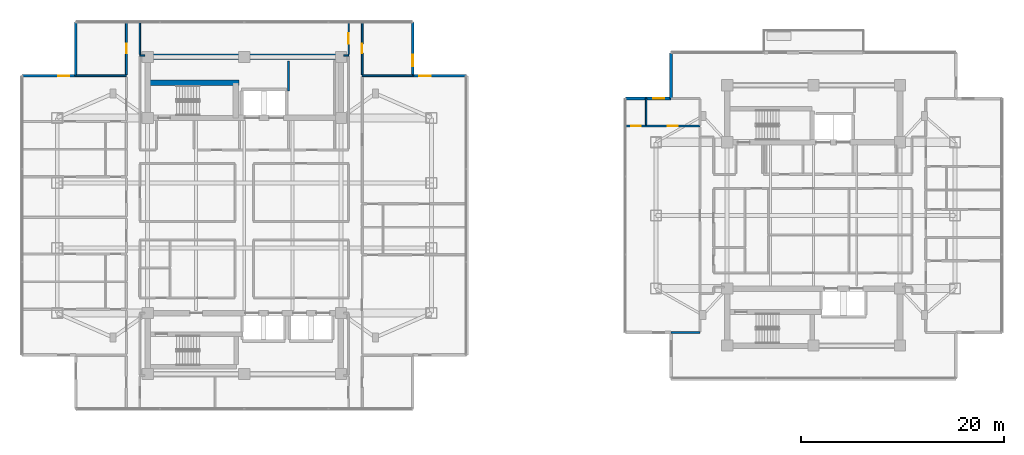
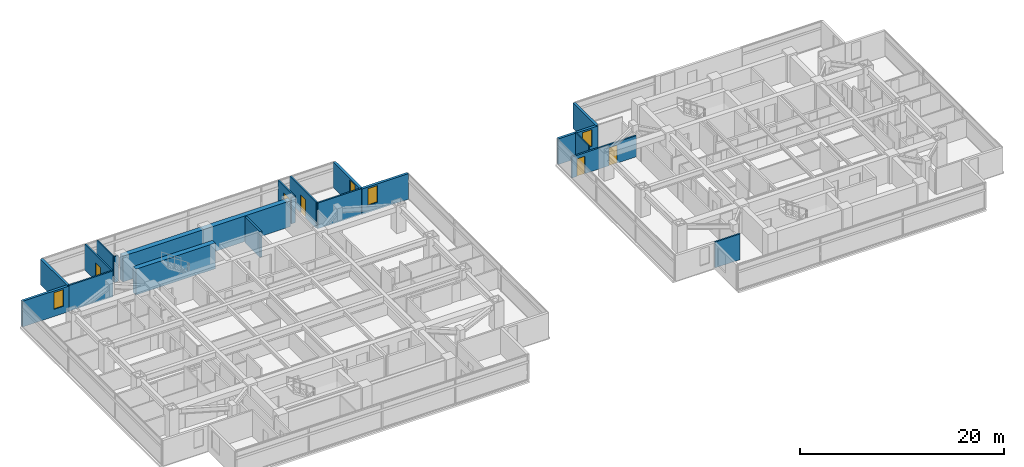
# One storey, part 16 of 24: 20 walls, 5 doors, 4 windows, 9 openings.
"""IFC4 building model written with IfcOpenShell, lengths in metres."""

from ifc_helpers import new_model, si_unit, direction, frame, frame_2d, origin, place, context, subcontext, project, spatial, rectangle, extrude, material, layer, layer_set, type_object, element, fill, save


model = new_model("IFC4")

# Units and contexts
model_context = context("Model", 3, precision=1e-05, world=origin(), true_north=direction((0.0, 1.0)))
body_context = subcontext(model_context, "Body", "Model", "MODEL_VIEW")
ifc_project = project(units=[si_unit("LENGTHUNIT", "METRE"), si_unit("AREAUNIT", "SQUARE_METRE"), si_unit("VOLUMEUNIT", "CUBIC_METRE"), si_unit("PLANEANGLEUNIT", "RADIAN"), si_unit("MASSUNIT", "GRAM", prefix="KILO")], contexts=[model_context])

# Site, building, storey
site_placement = place(None, origin())
site = spatial("IfcSite", under=ifc_project, at=site_placement, CompositionType="ELEMENT")
building_placement = place(site_placement, origin())
building = spatial("IfcBuilding", under=site, at=building_placement, Name="Mirazonda Arch Towers", CompositionType="ELEMENT")
storey_placement = place(building_placement, frame((0.0, 0.0, 141.199951171875)))
storey = spatial("IfcBuildingStorey", under=building, at=storey_placement, Name="L40", CompositionType="ELEMENT", Elevation=141.199951171875)

# Walls
ifc_material_1 = material(Name="Concrete C50/60", Category="concrete")
ifc_layer_1 = layer(ifc_material_1, 0.550048828125, Name="WALL-CORE-550")
ifc_layer_set_1 = layer_set([ifc_layer_1], Name="Concrete C50/60")
wall_type_1 = type_object("IfcWallType", Name="WALL-CORE-550", PredefinedType="SHEAR", material=ifc_layer_set_1)
wall_1_placement = place(storey_placement, frame((11.0, 43.60009765625, 0.0), z_axis=(0.0, 0.0, 1.0), x_axis=(1.0, 0.0, 0.0)))
element("IfcWall", 1, at=wall_1_placement, inside=storey, type_object=wall_type_1, Name="L40 T1N-N Core Shear Wall", PredefinedType="SHEAR", context=body_context, shape_type="SweptSolid", body=[
    extrude(rectangle(XDim=19.0, YDim=0.550048828125, at=frame_2d((9.5, 0.0))), origin(), (0.0, 0.0, 1.0), 3.080078125),
])
wall_2_placement = place(storey_placement, frame((11.0, 41.04296875, 0.0), z_axis=(0.0, 0.0, 1.0), x_axis=(1.0, 0.0, 0.0)))
element("IfcWall", 2, at=wall_2_placement, inside=storey, type_object=wall_type_1, Name="L40 T1N-STN Core Shear Wall", PredefinedType="SHEAR", context=body_context, shape_type="SweptSolid", body=[
    extrude(rectangle(XDim=9.0, YDim=0.550048828125, at=frame_2d((4.5, 0.0))), origin(), (0.0, 0.0, 1.0), 3.080078125),
])

# Wall, opening, window
ifc_material_2 = material(Name="Precast Concrete C40/50", Category="concrete")
ifc_layer_2 = layer(ifc_material_2, 0.280029296875, Name="WALL-EXT-WALL-280")
ifc_layer_set_2 = layer_set([ifc_layer_2], Name="Precast Concrete C40/50")
wall_type_2 = type_object("IfcWallType", Name="WALL-EXT-WALL-280", PredefinedType="SOLIDWALL", material=ifc_layer_set_2)
wall_3_placement = place(storey_placement, frame((37.070068359375, 41.736083984375, 0.0), z_axis=(0.0, 0.0, 1.0), x_axis=(0.0, 1.0, 0.0)))
wall_3 = element("IfcWall", 3, at=wall_3_placement, inside=storey, type_object=wall_type_2, Name="L40 T1 Notched NE Corner Wall WL-L40-T1-CNE", PredefinedType="SOLIDWALL", context=body_context, shape_type="SweptSolid", body=[
    extrude(rectangle(XDim=5.27001953125, YDim=0.280029296875, at=frame_2d((2.635009765625, 0.0))), origin(), (0.0, 0.0, 1.0), 3.06005859375),
])
opening_1_placement = place(wall_3_placement, frame((0.949951171875, 0.0, 0.85009765625)))
opening_1 = element("IfcOpeningElement", 4, at=opening_1_placement, cuts=wall_3, Name="Opening WN-108", PredefinedType="OPENING", context=body_context, shape_type="SweptSolid", body=[
    extrude(rectangle(XDim=1.10009765625, YDim=2.0, at=frame_2d((0.550048828125, 1.0))), frame((0.0, 0.14990234375, 0.0), z_axis=(0.0, -1.0, 0.0), x_axis=(1.0, 0.0, 0.0)), (0.0, 0.0, 1.0), 0.300048828125),
])
ifc_material_3 = material(Name="Insulated Low-E Solar Glass", Category="glass")
window_type = type_object("IfcWindowType", Name="WIN-NOTCH-1100x2000", PartitioningType="SINGLE_PANEL", PredefinedType="WINDOW", material=ifc_material_3)
window_1_placement = place(opening_1_placement, origin())
window_1 = element("IfcWindow", 5, at=window_1_placement, inside=storey, type_object=window_type, Name="L40 Punched Facade Window WN-L40-T1-CNE", OverallHeight=2.0, OverallWidth=1.10009765625, PartitioningType="SINGLE_PANEL", PredefinedType="WINDOW", context=body_context, shape_type="SweptSolid", body=[
    extrude(rectangle(XDim=1.10009765625, YDim=2.0, at=frame_2d((0.550048828125, 1.0))), frame((0.0, 0.030029296875, 0.0), z_axis=(0.0, -1.0, 0.0), x_axis=(1.0, 0.0, 0.0)), (0.0, 0.0, 1.0), 0.06005859375),
])
fill(opening_1, window_1)

wall_4_placement = place(storey_placement, frame((3.929931640625, 41.736083984375, 0.0), z_axis=(0.0, 0.0, 1.0), x_axis=(-1.0, 0.0, 0.0)))
wall_4 = element("IfcWall", 6, at=wall_4_placement, inside=storey, type_object=wall_type_2, Name="L40 T1 Corner Notch Return Wall WL-L40-T1-CNW1", PredefinedType="SOLIDWALL", context=body_context, shape_type="SweptSolid", body=[
    extrude(rectangle(XDim=5.27001953125, YDim=0.280029296875, at=frame_2d((2.635009765625, 0.0))), origin(), (0.0, 0.0, 1.0), 3.06005859375),
])
opening_2_placement = place(wall_4_placement, frame((0.64990234375, 0.0, 0.85009765625)))
opening_2 = element("IfcOpeningElement", 7, at=opening_2_placement, cuts=wall_4, Name="Opening WN-108", PredefinedType="OPENING", context=body_context, shape_type="SweptSolid", body=[
    extrude(rectangle(XDim=1.10009765625, YDim=2.0, at=frame_2d((0.550048828125, 1.0))), frame((0.0, 0.14990234375, 0.0), z_axis=(0.0, -1.0, 0.0), x_axis=(1.0, 0.0, 0.0)), (0.0, 0.0, 1.0), 0.300048828125),
])
window_2_placement = place(opening_2_placement, origin())
window_2 = element("IfcWindow", 8, at=window_2_placement, inside=storey, type_object=window_type, Name="L40 Punched Facade Window WN-L40-T1-CNW1", OverallHeight=2.0, OverallWidth=1.10009765625, PartitioningType="SINGLE_PANEL", PredefinedType="WINDOW", context=body_context, shape_type="SweptSolid", body=[
    extrude(rectangle(XDim=1.10009765625, YDim=2.0, at=frame_2d((0.550048828125, 1.0))), frame((0.0, 0.030029296875, 0.0), z_axis=(0.0, -1.0, 0.0), x_axis=(1.0, 0.0, 0.0)), (0.0, 0.0, 1.0), 0.06005859375),
])
fill(opening_2, window_2)

# Wall
wall_5_placement = place(storey_placement, frame((3.929931640625, 47.006103515625, 0.0), z_axis=(0.0, 0.0, 1.0), x_axis=(0.0, -1.0, 0.0)))
element("IfcWall", 9, at=wall_5_placement, inside=storey, type_object=wall_type_2, Name="L40 T1 Corner Notch Return Wall WL-L40-T1-CNW2", PredefinedType="SOLIDWALL", context=body_context, shape_type="SweptSolid", body=[
    extrude(rectangle(XDim=5.27001953125, YDim=0.280029296875, at=frame_2d((2.635009765625, 0.0))), origin(), (0.0, 0.0, 1.0), 3.06005859375),
])

# Wall, opening, window
wall_6_placement = place(storey_placement, frame((42.340087890625, 41.736083984375, 0.0), z_axis=(0.0, 0.0, 1.0), x_axis=(-1.0, 0.0, 0.0)))
wall_6 = element("IfcWall", 10, at=wall_6_placement, inside=storey, type_object=wall_type_2, Name="L40 T1 Corner Notch Return Wall WL-L40-T1-CNE2", PredefinedType="SOLIDWALL", context=body_context, shape_type="SweptSolid", body=[
    extrude(rectangle(XDim=5.27001953125, YDim=0.280029296875, at=frame_2d((2.635009765625, 0.0))), origin(), (0.0, 0.0, 1.0), 3.06005859375),
])
opening_3_placement = place(wall_6_placement, frame((3.52001953125, 0.0, 0.85009765625)))
opening_3 = element("IfcOpeningElement", 11, at=opening_3_placement, cuts=wall_6, Name="Opening WN-108", PredefinedType="OPENING", context=body_context, shape_type="SweptSolid", body=[
    extrude(rectangle(XDim=1.10009765625, YDim=2.0, at=frame_2d((0.550048828125, 1.0))), frame((0.0, 0.14990234375, 0.0), z_axis=(0.0, -1.0, 0.0), x_axis=(1.0, 0.0, 0.0)), (0.0, 0.0, 1.0), 0.300048828125),
])
window_3_placement = place(opening_3_placement, origin())
window_3 = element("IfcWindow", 12, at=window_3_placement, inside=storey, type_object=window_type, Name="L40 Punched Facade Window WN-L40-T1-CNE2", OverallHeight=2.0, OverallWidth=1.10009765625, PartitioningType="SINGLE_PANEL", PredefinedType="WINDOW", context=body_context, shape_type="SweptSolid", body=[
    extrude(rectangle(XDim=1.10009765625, YDim=2.0, at=frame_2d((0.550048828125, 1.0))), frame((0.0, 0.030029296875, 0.0), z_axis=(0.0, -1.0, 0.0), x_axis=(1.0, 0.0, 0.0)), (0.0, 0.0, 1.0), 0.06005859375),
])
fill(opening_3, window_3)

wall_7_placement = place(storey_placement, frame((62.4755859375, 39.515625, 0.0), z_axis=(0.0, 0.0, 1.0), x_axis=(-1.0, 0.0, 0.0)))
wall_7 = element("IfcWall", 13, at=wall_7_placement, inside=storey, type_object=wall_type_2, Name="L40 T2 Corner Notch Return Wall WL-L40-T2-CNW1", PredefinedType="SOLIDWALL", context=body_context, shape_type="SweptSolid", body=[
    extrude(rectangle(XDim=4.486572265625, YDim=0.280029296875, at=frame_2d((2.2431640625, 0.0))), origin(), (0.0, 0.0, 1.0), 3.06005859375),
])
opening_4_placement = place(wall_7_placement, frame((0.64990234375, 0.0, 0.85009765625)))
opening_4 = element("IfcOpeningElement", 14, at=opening_4_placement, cuts=wall_7, Name="Opening WN-108", PredefinedType="OPENING", context=body_context, shape_type="SweptSolid", body=[
    extrude(rectangle(XDim=1.10009765625, YDim=2.0, at=frame_2d((0.550048828125, 1.0))), frame((0.0, 0.14990234375, 0.0), z_axis=(0.0, -1.0, 0.0), x_axis=(1.0, 0.0, 0.0)), (0.0, 0.0, 1.0), 0.300048828125),
])
window_4_placement = place(opening_4_placement, origin())
window_4 = element("IfcWindow", 15, at=window_4_placement, inside=storey, type_object=window_type, Name="L40 Punched Facade Window WN-L40-T2-CNW1", OverallHeight=2.0, OverallWidth=1.10009765625, PartitioningType="SINGLE_PANEL", PredefinedType="WINDOW", context=body_context, shape_type="SweptSolid", body=[
    extrude(rectangle(XDim=1.10009765625, YDim=2.0, at=frame_2d((0.550048828125, 1.0))), frame((0.0, 0.030029296875, 0.0), z_axis=(0.0, -1.0, 0.0), x_axis=(1.0, 0.0, 0.0)), (0.0, 0.0, 1.0), 0.06005859375),
])
fill(opening_4, window_4)

# Walls
wall_8_placement = place(storey_placement, frame((62.4755859375, 44.002197265625, 0.0), z_axis=(0.0, 0.0, 1.0), x_axis=(0.0, -1.0, 0.0)))
element("IfcWall", 16, at=wall_8_placement, inside=storey, type_object=wall_type_2, Name="L40 T2 Corner Notch Return Wall WL-L40-T2-CNW2", PredefinedType="SOLIDWALL", context=body_context, shape_type="SweptSolid", body=[
    extrude(rectangle(XDim=4.486572265625, YDim=0.280029296875, at=frame_2d((2.2431640625, 0.0))), origin(), (0.0, 0.0, 1.0), 3.06005859375),
])
ifc_material_4 = material(Name="Concrete C40/50", Category="concrete")
ifc_layer_3 = layer(ifc_material_4, 0.219970703125, Name="WALL-FFL-220")
ifc_layer_set_3 = layer_set([ifc_layer_3], Name="Concrete C40/50")
wall_type_3 = type_object("IfcWallType", Name="WALL-FFL-220", PredefinedType="SOLIDWALL", material=ifc_layer_set_3)
wall_9_placement = place(storey_placement, frame((24.85009765625, 40.260009765625, 0.0), z_axis=(0.0, 0.0, 1.0), x_axis=(0.0, 1.0, 0.0)))
element("IfcWall", 17, at=wall_9_placement, inside=storey, type_object=wall_type_3, Name="L40 Interior Partition 102", PredefinedType="SOLIDWALL", context=body_context, shape_type="SweptSolid", body=[
    extrude(rectangle(XDim=2.93994140625, YDim=0.219970703125, at=frame_2d((1.469970703125, 0.0))), origin(), (0.0, 0.0, 1.0), 3.080078125),
])
ifc_material_5 = material(Name="Fire-Rated Gypsum Stud Partition")
ifc_layer_4 = layer(ifc_material_5, 0.14990234375, Name="WALL-PART-CORR-150")
ifc_layer_set_4 = layer_set([ifc_layer_4], Name="Fire-Rated Gypsum Stud Partition")
wall_type_4 = type_object("IfcWallType", Name="WALL-PART-CORR-150", PredefinedType="PARTITIONING", material=ifc_layer_set_4)
for number, where, z_axis, x_axis, name in (
    (18, (10.239990234375, 43.75, 0.0), (0.0, 0.0, 1.0), (1.0, 0.0, 0.0), "L40 Interior Partition 061"),
    (19, (30.27001953125, 43.75, 0.0), (0.0, 0.0, 1.0), (1.0, 0.0, 0.0), "L40 Interior Partition 062"),
):
    element("IfcWall", number, at=place(storey_placement, frame(where, z_axis=z_axis, x_axis=x_axis)), inside=storey, type_object=wall_type_4, Name=name, PredefinedType="PARTITIONING", context=body_context, shape_type="SweptSolid", body=[
        extrude(rectangle(XDim=0.489990234375, YDim=0.14990234375, at=frame_2d((0.2451171875, 0.0))), origin(), (0.0, 0.0, 1.0), 3.080078125),
    ])
wall_10_placement = place(storey_placement, frame((10.239990234375, 43.8349609375, 0.0), z_axis=(0.0, 0.0, 1.0), x_axis=(0.0, 1.0, 0.0)))
element("IfcWall", 20, at=wall_10_placement, inside=storey, type_object=wall_type_4, Name="L40 Interior Partition 083", PredefinedType="PARTITIONING", context=body_context, shape_type="SweptSolid", body=[
    extrude(rectangle(XDim=3.171142578125, YDim=0.14990234375, at=frame_2d((1.58544921875, 0.0))), origin(), (0.0, 0.0, 1.0), 3.080078125),
])

# Wall, opening, door
wall_11_placement = place(storey_placement, frame((30.760009765625, 43.8349609375, 0.0), z_axis=(0.0, 0.0, 1.0), x_axis=(0.0, 1.0, 0.0)))
wall_11 = element("IfcWall", 21, at=wall_11_placement, inside=storey, type_object=wall_type_4, Name="L40 Interior Partition 111", PredefinedType="PARTITIONING", context=body_context, shape_type="SweptSolid", body=[
    extrude(rectangle(XDim=3.171142578125, YDim=0.14990234375, at=frame_2d((1.58544921875, 0.0))), origin(), (0.0, 0.0, 1.0), 3.080078125),
])
opening_5_placement = place(wall_11_placement, frame((1.060546875, 0.0, 0.0)))
opening_5 = element("IfcOpeningElement", 22, at=opening_5_placement, cuts=wall_11, Name="Opening DR-121", PredefinedType="OPENING", context=body_context, shape_type="SweptSolid", body=[
    extrude(rectangle(XDim=1.050048828125, YDim=2.199951171875, at=frame_2d((0.52490234375, 1.10009765625))), frame((0.0, 0.0849609375, 0.0), z_axis=(0.0, -1.0, 0.0), x_axis=(1.0, 0.0, 0.0)), (0.0, 0.0, 1.0), 0.169921875),
])
ifc_material_6 = material(Name="Architectural Brushed Steel S355", Category="steel")
door_type_1 = type_object("IfcDoorType", Name="DOOR-SUITE-FD60-1050", OperationType="NOTDEFINED", PredefinedType="DOOR", material=ifc_material_6)
door_1_placement = place(opening_5_placement, origin())
door_1 = element("IfcDoor", 23, at=door_1_placement, inside=storey, type_object=door_type_1, Name="L40 North Reading Salon Suite Door", OperationType="SINGLE_SWING_RIGHT", OverallHeight=2.199951171875, OverallWidth=1.050048828125, PredefinedType="DOOR", context=body_context, shape_type="SweptSolid", body=[
    extrude(rectangle(XDim=1.050048828125, YDim=2.199951171875, at=frame_2d((0.52490234375, 1.10009765625))), frame((0.0, 0.02490234375, 0.0), z_axis=(0.0, -1.0, 0.0), x_axis=(1.0, 0.0, 0.0)), (0.0, 0.0, 1.0), 0.050048828125),
])
fill(opening_5, door_1)

# Wall
ifc_material_7 = material(Name="Fire-Rated Gypsum Twin-Stud Assembly")
ifc_layer_5 = layer(ifc_material_7, 0.179931640625, Name="WALL-PART-DEMISE-180")
ifc_layer_set_5 = layer_set([ifc_layer_5], Name="Fire-Rated Gypsum Twin-Stud Assembly")
wall_type_5 = type_object("IfcWallType", Name="WALL-PART-DEMISE-180", PredefinedType="PARTITIONING", material=ifc_layer_set_5)
wall_12_placement = place(storey_placement, frame((62.49560546875, 16.48388671875, 0.0), z_axis=(0.0, 0.0, 1.0), x_axis=(1.0, 0.0, 0.0)))
element("IfcWall", 24, at=wall_12_placement, inside=storey, type_object=wall_type_5, Name="L40 Interior Partition 009", PredefinedType="PARTITIONING", context=body_context, shape_type="SweptSolid", body=[
    extrude(rectangle(XDim=2.824462890625, YDim=0.179931640625, at=frame_2d((1.412109375, 0.0))), origin(), (0.0, 0.0, 1.0), 3.080078125),
])

# Wall, openings, doors
wall_13_placement = place(storey_placement, frame((57.989013671875, 36.7958984375, 0.0), z_axis=(0.0, 0.0, 1.0), x_axis=(1.0, 0.0, 0.0)))
wall_13 = element("IfcWall", 25, at=wall_13_placement, inside=storey, type_object=wall_type_5, Name="L40 Interior Partition 052", PredefinedType="PARTITIONING", context=body_context, shape_type="SweptSolid", body=[
    extrude(rectangle(XDim=7.3310546875, YDim=0.179931640625, at=frame_2d((3.66552734375, 0.0))), origin(), (0.0, 0.0, 1.0), 2.52294921875),
])
opening_6_placement = place(wall_13_placement, frame((4.1904296875, 0.0, 0.0)))
opening_6 = element("IfcOpeningElement", 26, at=opening_6_placement, cuts=wall_13, Name="Opening DR-104", PredefinedType="OPENING", context=body_context, shape_type="SweptSolid", body=[
    extrude(rectangle(XDim=0.949951171875, YDim=2.14990234375, at=frame_2d((0.47509765625, 1.074951171875))), frame((0.0, 0.099853515625, 0.0), z_axis=(0.0, -1.0, 0.0), x_axis=(1.0, 0.0, 0.0)), (0.0, 0.0, 1.0), 0.199951171875),
])
opening_7_placement = place(wall_13_placement, frame((0.590087890625, 0.0, 0.0)))
opening_7 = element("IfcOpeningElement", 27, at=opening_7_placement, cuts=wall_13, Name="Opening DR-120", PredefinedType="OPENING", context=body_context, shape_type="SweptSolid", body=[
    extrude(rectangle(XDim=0.89990234375, YDim=2.10009765625, at=frame_2d((0.449951171875, 1.050048828125))), frame((0.0, 0.099853515625, 0.0), z_axis=(0.0, -1.0, 0.0), x_axis=(1.0, 0.0, 0.0)), (0.0, 0.0, 1.0), 0.199951171875),
])
door_type_2 = type_object("IfcDoorType", Name="DOOR-ROOM-950", OperationType="NOTDEFINED", PredefinedType="DOOR", material=ifc_material_6)
door_2_placement = place(opening_6_placement, origin())
door_2 = element("IfcDoor", 28, at=door_2_placement, inside=storey, type_object=door_type_2, Name="L40 Suite Bedroom 1 Door", OperationType="SINGLE_SWING_RIGHT", OverallHeight=2.14990234375, OverallWidth=0.949951171875, PredefinedType="DOOR", context=body_context, shape_type="SweptSolid", body=[
    extrude(rectangle(XDim=0.949951171875, YDim=2.14990234375, at=frame_2d((0.47509765625, 1.074951171875))), frame((0.0, 0.02490234375, 0.0), z_axis=(0.0, -1.0, 0.0), x_axis=(1.0, 0.0, 0.0)), (0.0, 0.0, 1.0), 0.050048828125),
])
fill(opening_6, door_2)
door_type_3 = type_object("IfcDoorType", Name="DOOR-WC-900", OperationType="NOTDEFINED", PredefinedType="DOOR", material=ifc_material_6)
door_3_placement = place(opening_7_placement, origin())
door_3 = element("IfcDoor", 29, at=door_3_placement, inside=storey, type_object=door_type_3, Name="L40 Suite En-Suite Bathroom 1 Door", OperationType="SINGLE_SWING_LEFT", OverallHeight=2.10009765625, OverallWidth=0.89990234375, PredefinedType="DOOR", context=body_context, shape_type="SweptSolid", body=[
    extrude(rectangle(XDim=0.89990234375, YDim=2.10009765625, at=frame_2d((0.449951171875, 1.050048828125))), frame((0.0, 0.02490234375, 0.0), z_axis=(0.0, -1.0, 0.0), x_axis=(1.0, 0.0, 0.0)), (0.0, 0.0, 1.0), 0.050048828125),
])
fill(opening_7, door_3)

# Walls
for number, where, z_axis, x_axis, name in (
    (30, (3.949951171875, 41.736083984375, 0.0), (0.0, 0.0, 1.0), (1.0, 0.0, 0.0), "L40 Interior Partition 059"),
    (31, (32.10009765625, 41.736083984375, 0.0), (0.0, 0.0, 1.0), (1.0, 0.0, 0.0), "L40 Interior Partition 060"),
):
    element("IfcWall", number, at=place(storey_placement, frame(where, z_axis=z_axis, x_axis=x_axis)), inside=storey, type_object=wall_type_5, Name=name, PredefinedType="PARTITIONING", context=body_context, shape_type="SweptSolid", body=[
        extrude(rectangle(XDim=4.949951171875, YDim=0.179931640625, at=frame_2d((2.47509765625, 0.0))), origin(), (0.0, 0.0, 1.0), 3.080078125),
    ])

# Wall, opening, door
wall_14_placement = place(storey_placement, frame((8.89990234375, 41.8359375, 0.0), z_axis=(0.0, 0.0, 1.0), x_axis=(0.0, 1.0, 0.0)))
wall_14 = element("IfcWall", 32, at=wall_14_placement, inside=storey, type_object=wall_type_5, Name="L40 Interior Partition 076", PredefinedType="PARTITIONING", context=body_context, shape_type="SweptSolid", body=[
    extrude(rectangle(XDim=5.170166015625, YDim=0.179931640625, at=frame_2d((2.5849609375, 0.0))), origin(), (0.0, 0.0, 1.0), 3.080078125),
])
opening_8_placement = place(wall_14_placement, frame((2.110107421875, 0.0, 0.0)))
opening_8 = element("IfcOpeningElement", 33, at=opening_8_placement, cuts=wall_14, Name="Opening DR-104", PredefinedType="OPENING", context=body_context, shape_type="SweptSolid", body=[
    extrude(rectangle(XDim=0.949951171875, YDim=2.14990234375, at=frame_2d((0.47509765625, 1.074951171875))), frame((0.0, 0.099853515625, 0.0), z_axis=(0.0, -1.0, 0.0), x_axis=(1.0, 0.0, 0.0)), (0.0, 0.0, 1.0), 0.199951171875),
])
door_4_placement = place(opening_8_placement, origin())
door_4 = element("IfcDoor", 34, at=door_4_placement, inside=storey, type_object=door_type_2, Name="L40 North Reading Salon Alcove West Door", OperationType="SINGLE_SWING_LEFT", OverallHeight=2.14990234375, OverallWidth=0.949951171875, PredefinedType="DOOR", context=body_context, shape_type="SweptSolid", body=[
    extrude(rectangle(XDim=0.949951171875, YDim=2.14990234375, at=frame_2d((0.47509765625, 1.074951171875))), frame((0.0, 0.02490234375, 0.0), z_axis=(0.0, -1.0, 0.0), x_axis=(1.0, 0.0, 0.0)), (0.0, 0.0, 1.0), 0.050048828125),
])
fill(opening_8, door_4)

wall_15_placement = place(storey_placement, frame((32.10009765625, 41.8359375, 0.0), z_axis=(0.0, 0.0, 1.0), x_axis=(0.0, 1.0, 0.0)))
wall_15 = element("IfcWall", 35, at=wall_15_placement, inside=storey, type_object=wall_type_5, Name="L40 Interior Partition 117", PredefinedType="PARTITIONING", context=body_context, shape_type="SweptSolid", body=[
    extrude(rectangle(XDim=5.170166015625, YDim=0.179931640625, at=frame_2d((2.5849609375, 0.0))), origin(), (0.0, 0.0, 1.0), 3.080078125),
])
opening_9_placement = place(wall_15_placement, frame((2.110107421875, 0.0, 0.0)))
opening_9 = element("IfcOpeningElement", 36, at=opening_9_placement, cuts=wall_15, Name="Opening DR-104", PredefinedType="OPENING", context=body_context, shape_type="SweptSolid", body=[
    extrude(rectangle(XDim=0.949951171875, YDim=2.14990234375, at=frame_2d((0.47509765625, 1.074951171875))), frame((0.0, 0.099853515625, 0.0), z_axis=(0.0, -1.0, 0.0), x_axis=(1.0, 0.0, 0.0)), (0.0, 0.0, 1.0), 0.199951171875),
])
door_5_placement = place(opening_9_placement, origin())
door_5 = element("IfcDoor", 37, at=door_5_placement, inside=storey, type_object=door_type_2, Name="L40 North Reading Salon Alcove East Door", OperationType="SINGLE_SWING_RIGHT", OverallHeight=2.14990234375, OverallWidth=0.949951171875, PredefinedType="DOOR", context=body_context, shape_type="SweptSolid", body=[
    extrude(rectangle(XDim=0.949951171875, YDim=2.14990234375, at=frame_2d((0.47509765625, 1.074951171875))), frame((0.0, 0.02490234375, 0.0), z_axis=(0.0, -1.0, 0.0), x_axis=(1.0, 0.0, 0.0)), (0.0, 0.0, 1.0), 0.050048828125),
])
fill(opening_9, door_5)

# Wall
ifc_material_8 = material(Name="Acoustic Fire-Rated Gypsum Partition")
ifc_layer_6 = layer(ifc_material_8, 0.125, Name="WALL-PART-UNIT-125")
ifc_layer_set_6 = layer_set([ifc_layer_6], Name="Acoustic Fire-Rated Gypsum Partition")
wall_type_6 = type_object("IfcWallType", Name="WALL-PART-UNIT-125", PredefinedType="PARTITIONING", material=ifc_layer_set_6)
wall_16_placement = place(storey_placement, frame((60.029052734375, 36.89599609375, 0.0), z_axis=(0.0, 0.0, 1.0), x_axis=(0.0, 1.0, 0.0)))
element("IfcWall", 38, at=wall_16_placement, inside=storey, type_object=wall_type_6, Name="L40 Interior Partition 120", PredefinedType="PARTITIONING", context=body_context, shape_type="SweptSolid", body=[
    extrude(rectangle(XDim=2.6201171875, YDim=0.125, at=frame_2d((1.31005859375, 0.0))), origin(), (0.0, 0.0, 1.0), 3.080078125),
])

save(model, "model.ifc")
